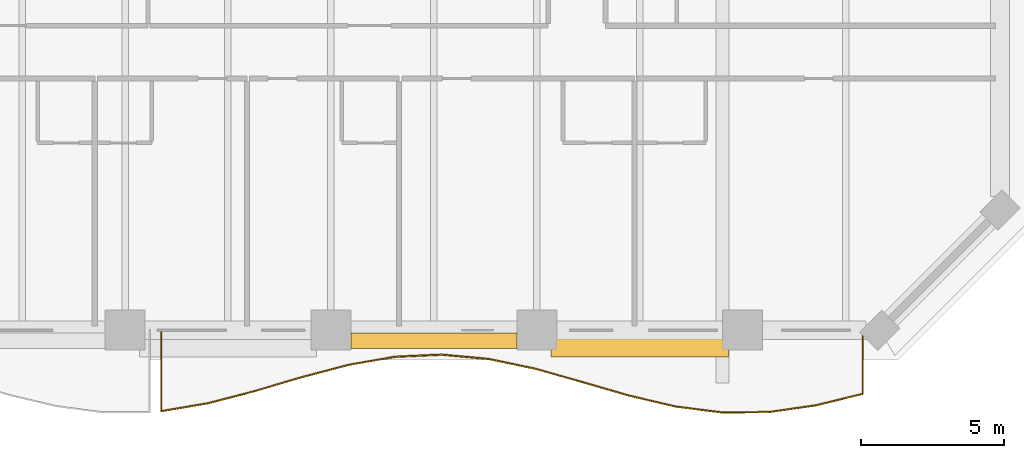
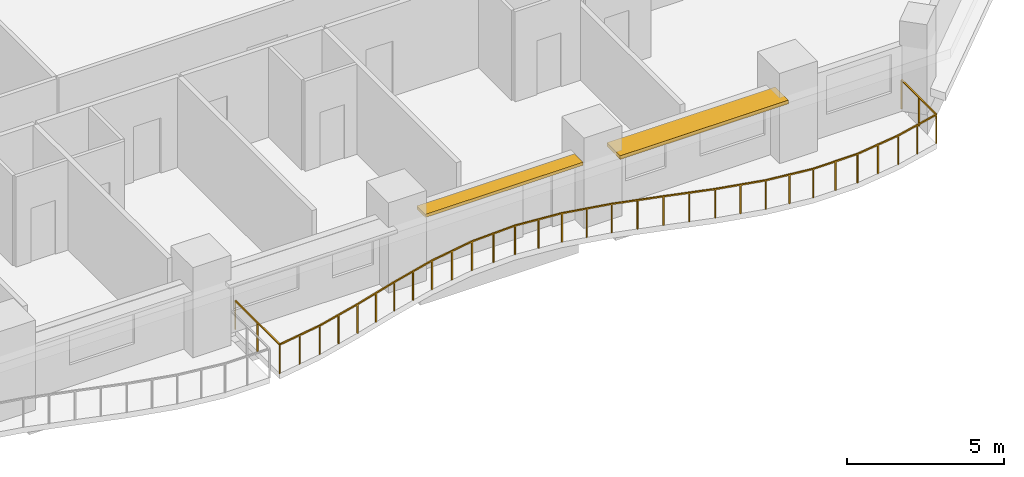
# One storey, part 15 of 16: 2 shading devices, 1 railing.
"""IFC4 building model written with IfcOpenShell, lengths in metres."""

from ifc_helpers import new_model, si_unit, direction, frame, origin, origin_2d, place, context, subcontext, project, spatial, rectangle, extrude, material, layer, layer_set, type_object, element, save


model = new_model("IFC4")

# Units and contexts
model_context = context("Model", 3, precision=1e-05, world=origin(), true_north=direction((0.0, 1.0)))
body_context = subcontext(model_context, "Body", "Model", "MODEL_VIEW")
ifc_project = project(units=[si_unit("LENGTHUNIT", "METRE"), si_unit("AREAUNIT", "SQUARE_METRE"), si_unit("VOLUMEUNIT", "CUBIC_METRE"), si_unit("PLANEANGLEUNIT", "RADIAN"), si_unit("MASSUNIT", "GRAM", prefix="KILO")], contexts=[model_context])

# Site, building, storey
site_placement = place(None, origin())
site = spatial("IfcSite", under=ifc_project, at=site_placement, CompositionType="ELEMENT")
building_placement = place(site_placement, origin())
building = spatial("IfcBuilding", under=site, at=building_placement, Name="Kaelvorn Grand Hotel", CompositionType="ELEMENT")
storey_placement = place(building_placement, frame((0.0, 0.0, 35.14990234375)))
storey = spatial("IfcBuildingStorey", under=building, at=storey_placement, Name="L06", CompositionType="ELEMENT", Elevation=35.14990234375)

# Railing
ifc_material_1 = material(Name="Stainless Steel", Category="steel")
railing_type = type_object("IfcRailingType", Name="RL-BALC-1150", PredefinedType="BALUSTRADE", material=ifc_material_1)
railing_placement = place(storey_placement, frame((54.666748046875, 0.0, 0.0)))
element("IfcRailing", 1, at=railing_placement, inside=storey, type_object=railing_type, Name="L06 Scalloped Wave Balcony Balustrade GR1-3", PredefinedType="BALUSTRADE", context=body_context, shape_type="SweptSolid", body=[
    extrude(rectangle(XDim=0.048095703125, YDim=0.048095703125, at=origin_2d()), frame((0.0, 0.0, 1.1259765625), z_axis=(0.0, -1.0, 0.0), x_axis=(1.0, 0.0, 0.0)), (0.0, 0.0, 1.0), 2.831298828125),
    extrude(rectangle(XDim=0.048095703125, YDim=0.048095703125, at=origin_2d()), frame((0.0, -2.831298828125, 1.1259765625), z_axis=(0.986118033534, 0.166045848907, 0.0), x_axis=(-0.166045848907, 0.986118033534, 0.0)), (0.0, 0.0, 1.0), 1.658447265625),
    extrude(rectangle(XDim=0.048095703125, YDim=0.048095703125, at=origin_2d()), frame((1.635498046875, -2.555908203125, 1.1259765625), z_axis=(0.96763721046, 0.252345455542, 0.0), x_axis=(-0.252345455542, 0.96763721046, 0.0)), (0.0, 0.0, 1.0), 1.690185546875),
    extrude(rectangle(XDim=0.048095703125, YDim=0.048095703125, at=origin_2d()), frame((3.27099609375, -2.12939453125, 1.1259765625), z_axis=(0.959027432838, 0.2833132243, 0.0), x_axis=(-0.2833132243, 0.959027432838, 0.0)), (0.0, 0.0, 1.0), 1.705322265625),
    extrude(rectangle(XDim=0.048095703125, YDim=0.048095703125, at=origin_2d()), frame((4.906494140625, -1.646240234375, 1.1259765625), z_axis=(0.966831098892, 0.255416573886, 0.0), x_axis=(-0.255416573886, 0.966831098892, 0.0)), (0.0, 0.0, 1.0), 1.69189453125),
    extrude(rectangle(XDim=0.048095703125, YDim=0.048095703125, at=origin_2d()), frame((6.542236328125, -1.214111328125, 1.1259765625), z_axis=(0.985113377214, 0.171905887142, 0.0), x_axis=(-0.171905887142, 0.985113377214, 0.0)), (0.0, 0.0, 1.0), 1.66015625),
    extrude(rectangle(XDim=0.048095703125, YDim=0.048095703125, at=origin_2d()), frame((8.177734375, -0.9287109375, 1.1259765625), z_axis=(0.998944729953, 0.045928493331, 0.0), x_axis=(-0.045928493331, 0.998944729953, 0.0)), (0.0, 0.0, 1.0), 1.63720703125),
    extrude(rectangle(XDim=0.048095703125, YDim=0.048095703125, at=origin_2d()), frame((9.813232421875, -0.853515625, 1.1259765625), z_axis=(0.995730813029, -0.092304647692, 0.0), x_axis=(0.092304647692, 0.995730813029, 0.0)), (0.0, 0.0, 1.0), 1.642578125),
    extrude(rectangle(XDim=0.048095703125, YDim=0.048095703125, at=origin_2d()), frame((11.44873046875, -1.005126953125, 1.1259765625), z_axis=(0.978506375694, -0.206216567534, 0.0), x_axis=(0.206216567534, 0.978506375694, 0.0)), (0.0, 0.0, 1.0), 1.671630859375),
    extrude(rectangle(XDim=0.048095703125, YDim=0.048095703125, at=origin_2d()), frame((13.08447265625, -1.349853515625, 1.1259765625), z_axis=(0.962391909426, -0.27166489039, 0.0), x_axis=(0.27166489039, 0.962391909426, 0.0)), (0.0, 0.0, 1.0), 1.699462890625),
    extrude(rectangle(XDim=0.048095703125, YDim=0.048095703125, at=origin_2d()), frame((14.719970703125, -1.8115234375, 1.1259765625), z_axis=(0.960226046789, -0.279223815367, 0.0), x_axis=(0.279223815367, 0.960226046789, 0.0)), (0.0, 0.0, 1.0), 1.703125),
    extrude(rectangle(XDim=0.048095703125, YDim=0.048095703125, at=origin_2d()), frame((16.35546875, -2.287109375, 1.1259765625), z_axis=(0.973521889871, -0.228593809937, 0.0), x_axis=(0.228593809937, 0.973521889871, 0.0)), (0.0, 0.0, 1.0), 1.679931640625),
    extrude(rectangle(XDim=0.048095703125, YDim=0.048095703125, at=origin_2d()), frame((17.990966796875, -2.671142578125, 1.1259765625), z_axis=(0.992064544216, -0.125729630996, 0.0), x_axis=(0.125729630996, 0.992064544216, 0.0)), (0.0, 0.0, 1.0), 1.648681640625),
    extrude(rectangle(XDim=0.048095703125, YDim=0.048095703125, at=origin_2d()), frame((19.62646484375, -2.87841796875, 1.1259765625), z_axis=(0.999954380489, 0.009551803038, 0.0), x_axis=(-0.009551803038, 0.999954380489, 0.0)), (0.0, 0.0, 1.0), 1.6357421875),
    extrude(rectangle(XDim=0.048095703125, YDim=0.048095703125, at=origin_2d()), frame((21.26220703125, -2.86279296875, 1.1259765625), z_axis=(0.989824996425, 0.142290113682, 0.0), x_axis=(-0.142290113682, 0.989824996425, 0.0)), (0.0, 0.0, 1.0), 1.65234375),
    extrude(rectangle(XDim=0.048095703125, YDim=0.048095703125, at=origin_2d()), frame((22.897705078125, -2.627685546875, 1.1259765625), z_axis=(0.971081610913, 0.238747785218, 0.0), x_axis=(-0.238747785218, 0.971081610913, 0.0)), (0.0, 0.0, 1.0), 1.68408203125),
    extrude(rectangle(XDim=0.048095703125, YDim=0.048095703125, at=origin_2d()), frame((24.533203125, -2.2255859375, 1.1259765625), z_axis=(0.0, 1.0, 0.0), x_axis=(-1.0, 0.0, 0.0)), (0.0, 0.0, 1.0), 2.2255859375),
    extrude(rectangle(XDim=0.0419921875, YDim=0.0419921875, at=origin_2d()), origin(), (0.0, 0.0, 1.0), 1.101806640625),
    extrude(rectangle(XDim=0.0419921875, YDim=0.0419921875, at=origin_2d()), frame((0.0, -1.41552734375, 0.0)), (0.0, 0.0, 1.0), 1.101806640625),
    extrude(rectangle(XDim=0.0419921875, YDim=0.0419921875, at=origin_2d()), frame((0.0, -2.831298828125, 0.0)), (0.0, 0.0, 1.0), 1.101806640625),
    extrude(rectangle(XDim=0.0419921875, YDim=0.0419921875, at=origin_2d()), frame((0.81787109375, -2.693603515625, 0.0)), (0.0, 0.0, 1.0), 1.101806640625),
    extrude(rectangle(XDim=0.0419921875, YDim=0.0419921875, at=origin_2d()), frame((1.635498046875, -2.555908203125, 0.0)), (0.0, 0.0, 1.0), 1.101806640625),
    extrude(rectangle(XDim=0.0419921875, YDim=0.0419921875, at=origin_2d()), frame((2.453125, -2.3427734375, 0.0)), (0.0, 0.0, 1.0), 1.101806640625),
    extrude(rectangle(XDim=0.0419921875, YDim=0.0419921875, at=origin_2d()), frame((3.27099609375, -2.12939453125, 0.0)), (0.0, 0.0, 1.0), 1.101806640625),
    extrude(rectangle(XDim=0.0419921875, YDim=0.0419921875, at=origin_2d()), frame((4.0888671875, -1.8876953125, 0.0)), (0.0, 0.0, 1.0), 1.101806640625),
    extrude(rectangle(XDim=0.0419921875, YDim=0.0419921875, at=origin_2d()), frame((4.906494140625, -1.646240234375, 0.0)), (0.0, 0.0, 1.0), 1.101806640625),
    extrude(rectangle(XDim=0.0419921875, YDim=0.0419921875, at=origin_2d()), frame((5.724365234375, -1.43017578125, 0.0)), (0.0, 0.0, 1.0), 1.101806640625),
    extrude(rectangle(XDim=0.0419921875, YDim=0.0419921875, at=origin_2d()), frame((6.542236328125, -1.214111328125, 0.0)), (0.0, 0.0, 1.0), 1.101806640625),
    extrude(rectangle(XDim=0.0419921875, YDim=0.0419921875, at=origin_2d()), frame((7.35986328125, -1.0712890625, 0.0)), (0.0, 0.0, 1.0), 1.101806640625),
    extrude(rectangle(XDim=0.0419921875, YDim=0.0419921875, at=origin_2d()), frame((8.177734375, -0.9287109375, 0.0)), (0.0, 0.0, 1.0), 1.101806640625),
    extrude(rectangle(XDim=0.0419921875, YDim=0.0419921875, at=origin_2d()), frame((8.99560546875, -0.89111328125, 0.0)), (0.0, 0.0, 1.0), 1.101806640625),
    extrude(rectangle(XDim=0.0419921875, YDim=0.0419921875, at=origin_2d()), frame((9.813232421875, -0.853515625, 0.0)), (0.0, 0.0, 1.0), 1.101806640625),
    extrude(rectangle(XDim=0.0419921875, YDim=0.0419921875, at=origin_2d()), frame((10.630859375, -0.92919921875, 0.0)), (0.0, 0.0, 1.0), 1.101806640625),
    extrude(rectangle(XDim=0.0419921875, YDim=0.0419921875, at=origin_2d()), frame((11.44873046875, -1.005126953125, 0.0)), (0.0, 0.0, 1.0), 1.101806640625),
    extrude(rectangle(XDim=0.0419921875, YDim=0.0419921875, at=origin_2d()), frame((12.2666015625, -1.177490234375, 0.0)), (0.0, 0.0, 1.0), 1.101806640625),
    extrude(rectangle(XDim=0.0419921875, YDim=0.0419921875, at=origin_2d()), frame((13.08447265625, -1.349853515625, 0.0)), (0.0, 0.0, 1.0), 1.101806640625),
    extrude(rectangle(XDim=0.0419921875, YDim=0.0419921875, at=origin_2d()), frame((13.90234375, -1.58056640625, 0.0)), (0.0, 0.0, 1.0), 1.101806640625),
    extrude(rectangle(XDim=0.0419921875, YDim=0.0419921875, at=origin_2d()), frame((14.719970703125, -1.8115234375, 0.0)), (0.0, 0.0, 1.0), 1.101806640625),
    extrude(rectangle(XDim=0.0419921875, YDim=0.0419921875, at=origin_2d()), frame((15.53759765625, -2.04931640625, 0.0)), (0.0, 0.0, 1.0), 1.101806640625),
    extrude(rectangle(XDim=0.0419921875, YDim=0.0419921875, at=origin_2d()), frame((16.35546875, -2.287109375, 0.0)), (0.0, 0.0, 1.0), 1.101806640625),
    extrude(rectangle(XDim=0.0419921875, YDim=0.0419921875, at=origin_2d()), frame((17.17333984375, -2.47900390625, 0.0)), (0.0, 0.0, 1.0), 1.101806640625),
    extrude(rectangle(XDim=0.0419921875, YDim=0.0419921875, at=origin_2d()), frame((17.990966796875, -2.671142578125, 0.0)), (0.0, 0.0, 1.0), 1.101806640625),
    extrude(rectangle(XDim=0.0419921875, YDim=0.0419921875, at=origin_2d()), frame((18.80859375, -2.77490234375, 0.0)), (0.0, 0.0, 1.0), 1.101806640625),
    extrude(rectangle(XDim=0.0419921875, YDim=0.0419921875, at=origin_2d()), frame((19.62646484375, -2.87841796875, 0.0)), (0.0, 0.0, 1.0), 1.101806640625),
    extrude(rectangle(XDim=0.0419921875, YDim=0.0419921875, at=origin_2d()), frame((20.4443359375, -2.87060546875, 0.0)), (0.0, 0.0, 1.0), 1.101806640625),
    extrude(rectangle(XDim=0.0419921875, YDim=0.0419921875, at=origin_2d()), frame((21.26220703125, -2.86279296875, 0.0)), (0.0, 0.0, 1.0), 1.101806640625),
    extrude(rectangle(XDim=0.0419921875, YDim=0.0419921875, at=origin_2d()), frame((22.080078125, -2.7451171875, 0.0)), (0.0, 0.0, 1.0), 1.101806640625),
    extrude(rectangle(XDim=0.0419921875, YDim=0.0419921875, at=origin_2d()), frame((22.897705078125, -2.627685546875, 0.0)), (0.0, 0.0, 1.0), 1.101806640625),
    extrude(rectangle(XDim=0.0419921875, YDim=0.0419921875, at=origin_2d()), frame((23.71533203125, -2.4267578125, 0.0)), (0.0, 0.0, 1.0), 1.101806640625),
    extrude(rectangle(XDim=0.0419921875, YDim=0.0419921875, at=origin_2d()), frame((24.533203125, -2.2255859375, 0.0)), (0.0, 0.0, 1.0), 1.101806640625),
    extrude(rectangle(XDim=0.0419921875, YDim=0.0419921875, at=origin_2d()), frame((24.533203125, -1.11279296875, 0.0)), (0.0, 0.0, 1.0), 1.101806640625),
    extrude(rectangle(XDim=0.0419921875, YDim=0.0419921875, at=origin_2d()), frame((24.533203125, 0.0, 0.0)), (0.0, 0.0, 1.0), 1.101806640625),
])

# Shading devices
ifc_material_2 = material(Name="Precast concrete C45/55", Category="concrete")
ifc_layer_1 = layer(ifc_material_2, 0.1201171875)
ifc_layer_set_1 = layer_set([ifc_layer_1], Name="Precast concrete C45/55")
shading_device_type_1 = type_object("IfcShadingDeviceType", Name="SHD-SUNSHADE-550", PredefinedType="USERDEFINED", material=ifc_layer_set_1)
shading_device_1_placement = place(storey_placement, frame((64.199951171875, -0.364990234375, 2.419921875), z_axis=(0.0, 0.0, 1.0), x_axis=(1.0, 0.0, 0.0)))
element("IfcShadingDevice", 2, at=shading_device_1_placement, inside=storey, type_object=shading_device_type_1, Name="L06 Horizontal Concrete Sunshade Band SS-09", ObjectType="SUNSHADE", PredefinedType="USERDEFINED", context=body_context, shape_type="SweptSolid", body=[
    extrude(rectangle(XDim=5.800048828125, YDim=0.550048828125, at=origin_2d()), origin(), (0.0, 0.0, 1.0), 0.1201171875),
])
ifc_layer_2 = layer(ifc_material_2, 0.139892578125)
ifc_layer_set_2 = layer_set([ifc_layer_2], Name="Precast concrete C45/55")
shading_device_type_2 = type_object("IfcShadingDeviceType", Name="SHD-SUNSHADE-850", PredefinedType="USERDEFINED", material=ifc_layer_set_2)
shading_device_2_placement = place(storey_placement, frame((71.39990234375, -0.514892578125, 2.41015625), z_axis=(0.0, 0.0, 1.0), x_axis=(1.0, 0.0, 0.0)))
element("IfcShadingDevice", 3, at=shading_device_2_placement, inside=storey, type_object=shading_device_type_2, Name="L06 Horizontal Concrete Sunshade Band SS-10", ObjectType="SUNSHADE", PredefinedType="USERDEFINED", context=body_context, shape_type="SweptSolid", body=[
    extrude(rectangle(XDim=6.199951171875, YDim=0.85009765625, at=origin_2d()), origin(), (0.0, 0.0, 1.0), 0.139892578125),
])

save(model, "model.ifc")
